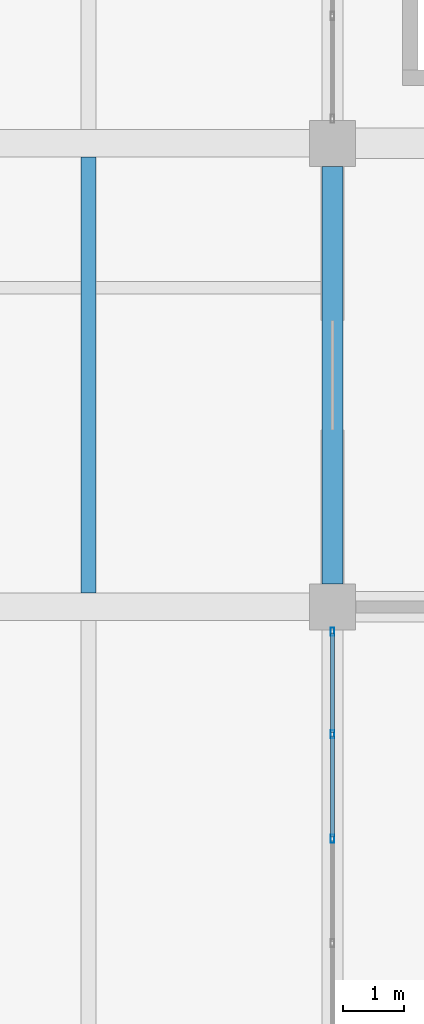
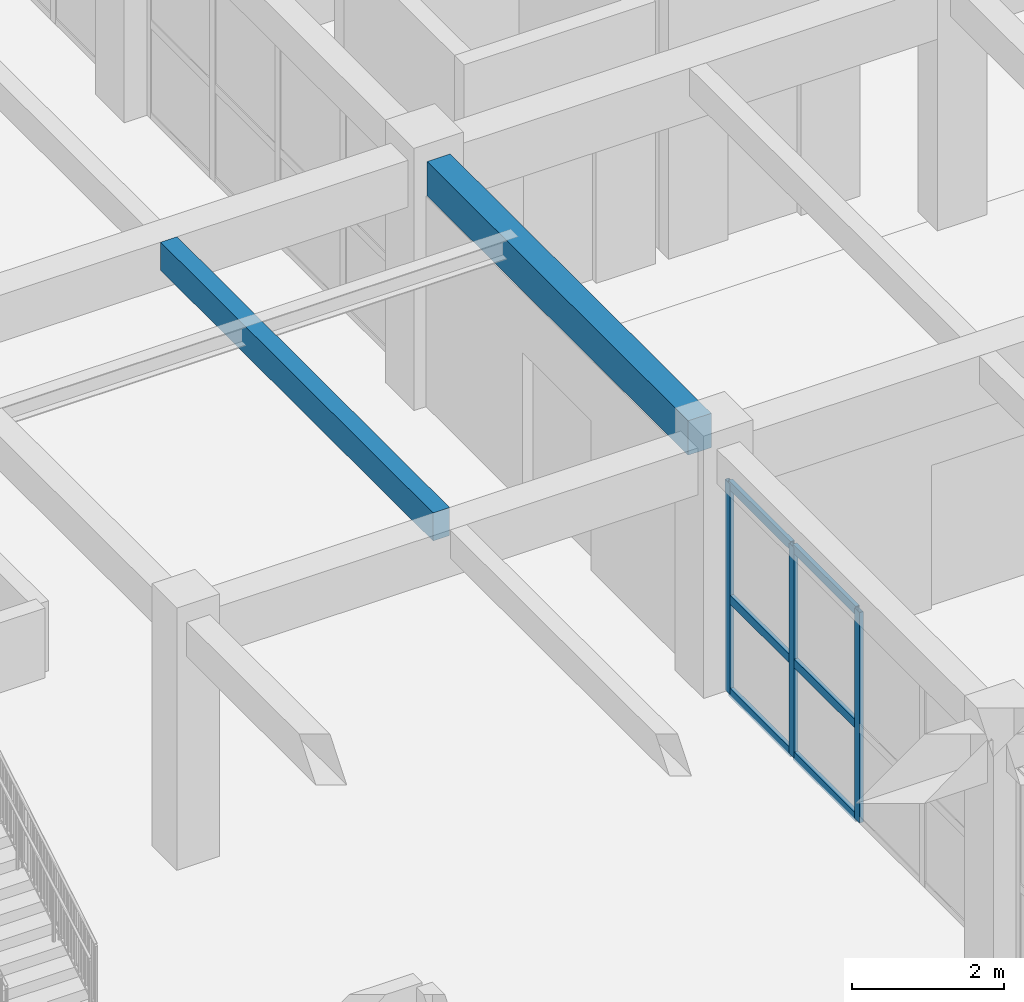
# One storey, part 7 of 63: 9 members, 2 beams, 1 element without a shape of its own.
"""IFC4 building model written with IfcOpenShell, lengths in metres."""

from ifc_helpers import new_model, si_unit, direction, frame, origin, origin_2d, place, context, subcontext, project, spatial, rectangle, hollow_rectangle, extrude, material, material_profile, profile_set, type_object, element, aggregate, save


model = new_model("IFC4")

# Units and contexts
model_context = context("Model", 3, precision=1e-05, world=origin(), true_north=direction((0.0, 1.0)))
body_context = subcontext(model_context, "Body", "Model", "MODEL_VIEW")
ifc_project = project(units=[si_unit("LENGTHUNIT", "METRE"), si_unit("AREAUNIT", "SQUARE_METRE"), si_unit("VOLUMEUNIT", "CUBIC_METRE"), si_unit("PLANEANGLEUNIT", "RADIAN"), si_unit("MASSUNIT", "GRAM", prefix="KILO")], contexts=[model_context])

# Site, building, storey
site_placement = place(None, origin())
site = spatial("IfcSite", under=ifc_project, at=site_placement, CompositionType="ELEMENT")
building_placement = place(site_placement, origin())
building = spatial("IfcBuilding", under=site, at=building_placement, Name="Zantavel Square City Hall", CompositionType="ELEMENT")
storey_placement = place(building_placement, frame((0.0, 0.0, 14.699951171875)))
storey = spatial("IfcBuildingStorey", under=building, at=storey_placement, Name="L04", CompositionType="ELEMENT", Elevation=14.699951171875)

# Curtain wall, members
ifc_material_1 = material(Name="Anodised aluminium 6063-T6", Category="aluminium")
curtain_wall_type = type_object("IfcCurtainWallType", Name="Curtain Wall TRV1 6850x3370", PredefinedType="USERDEFINED", material=ifc_material_1)
curtain_wall_placement = place(storey_placement, origin())
curtain_wall = element("IfcCurtainWall", 1, at=curtain_wall_placement, inside=storey, type_object=curtain_wall_type, Name="L04 Glazed Curtain Wall CW-L04-119", ObjectType="GLAZED CURTAIN WALL", PredefinedType="USERDEFINED")
ifc_material_profile_1 = material_profile(ifc_material_1, hollow_rectangle(XDim=0.06005859375, YDim=0.135009765625, WallThickness=0.00390625, at=origin_2d()), Name="ALU 60x135x4")
ifc_profile_set_1 = profile_set([ifc_material_profile_1], Name="Anodised aluminium 6063-T6")
member_type_1 = type_object("IfcMemberType", Name="CW Mullion ALU 60x135x4", PredefinedType="MULLION", material=ifc_profile_set_1)
member_1_placement = place(storey_placement, frame((64.0, 41.800048828125, 0.0), z_axis=(0.0, 0.0, 1.0), x_axis=(-1.0, 0.0, 0.0)))
member_1 = element("IfcMember", 2, at=member_1_placement, type_object=member_type_1, Name="CW-119 mullion 3", PredefinedType="MULLION", context=body_context, shape_type="SweptSolid", body=[
    extrude(hollow_rectangle(XDim=0.06005859375, YDim=0.135009765625, WallThickness=0.00390625, at=origin_2d()), origin(), (0.0, 0.0, 1.0), 3.3701171875),
])
member_2_placement = place(storey_placement, frame((64.0, 43.512451171875, 0.0), z_axis=(0.0, 0.0, 1.0), x_axis=(-1.0, 0.0, 0.0)))
member_2 = element("IfcMember", 3, at=member_2_placement, type_object=member_type_1, Name="CW-119 mullion 4", PredefinedType="MULLION", context=body_context, shape_type="SweptSolid", body=[
    extrude(hollow_rectangle(XDim=0.06005859375, YDim=0.135009765625, WallThickness=0.00390625, at=origin_2d()), origin(), (0.0, 0.0, 1.0), 3.3701171875),
])
member_3_placement = place(storey_placement, frame((64.0, 45.195068359375, 0.0), z_axis=(0.0, 0.0, 1.0), x_axis=(-1.0, 0.0, 0.0)))
member_3 = element("IfcMember", 4, at=member_3_placement, type_object=member_type_1, Name="CW-119 mullion 5", PredefinedType="MULLION", context=body_context, shape_type="SweptSolid", body=[
    extrude(hollow_rectangle(XDim=0.06005859375, YDim=0.135009765625, WallThickness=0.00390625, at=origin_2d()), origin(), (0.0, 0.0, 1.0), 3.3701171875),
])
ifc_material_profile_2 = material_profile(ifc_material_1, hollow_rectangle(XDim=0.06005859375, YDim=0.139892578125, WallThickness=0.00390625, at=origin_2d()), Name="ALU 60x140x4")
ifc_profile_set_2 = profile_set([ifc_material_profile_2], Name="Anodised aluminium 6063-T6")
member_type_2 = type_object("IfcMemberType", Name="CW Transom ALU 60x140x4", PredefinedType="USERDEFINED", material=ifc_profile_set_2)
member_4_placement = place(storey_placement, frame((64.0, 41.830078125, 0.030029296875), z_axis=(0.0, 1.0, 0.0), x_axis=(-1.0, 0.0, 0.0)))
member_4 = element("IfcMember", 5, at=member_4_placement, type_object=member_type_2, Name="CW-119 transom 3.1", ObjectType="TRANSOM", PredefinedType="USERDEFINED", context=body_context, shape_type="SweptSolid", body=[
    extrude(hollow_rectangle(XDim=0.06005859375, YDim=0.139892578125, WallThickness=0.00390625, at=origin_2d()), origin(), (0.0, 0.0, 1.0), 1.65234375),
])
member_5_placement = place(storey_placement, frame((64.0, 41.830078125, 1.51708984375), z_axis=(0.0, 1.0, 0.0), x_axis=(-1.0, 0.0, 0.0)))
member_5 = element("IfcMember", 6, at=member_5_placement, type_object=member_type_2, Name="CW-119 transom 3.2", ObjectType="TRANSOM", PredefinedType="USERDEFINED", context=body_context, shape_type="SweptSolid", body=[
    extrude(hollow_rectangle(XDim=0.06005859375, YDim=0.139892578125, WallThickness=0.00390625, at=origin_2d()), origin(), (0.0, 0.0, 1.0), 1.65234375),
])
member_6_placement = place(storey_placement, frame((64.0, 41.830078125, 3.340087890625), z_axis=(0.0, 1.0, 0.0), x_axis=(-1.0, 0.0, 0.0)))
member_6 = element("IfcMember", 7, at=member_6_placement, type_object=member_type_2, Name="CW-119 transom 3.3", ObjectType="TRANSOM", PredefinedType="USERDEFINED", context=body_context, shape_type="SweptSolid", body=[
    extrude(hollow_rectangle(XDim=0.06005859375, YDim=0.139892578125, WallThickness=0.00390625, at=origin_2d()), origin(), (0.0, 0.0, 1.0), 1.65234375),
])
member_7_placement = place(storey_placement, frame((64.0, 43.54248046875, 0.030029296875), z_axis=(0.0, 1.0, 0.0), x_axis=(-1.0, 0.0, 0.0)))
member_7 = element("IfcMember", 8, at=member_7_placement, type_object=member_type_2, Name="CW-119 transom 4.1", ObjectType="TRANSOM", PredefinedType="USERDEFINED", context=body_context, shape_type="SweptSolid", body=[
    extrude(hollow_rectangle(XDim=0.06005859375, YDim=0.139892578125, WallThickness=0.00390625, at=origin_2d()), origin(), (0.0, 0.0, 1.0), 1.62255859375),
])
member_8_placement = place(storey_placement, frame((64.0, 43.54248046875, 1.51708984375), z_axis=(0.0, 1.0, 0.0), x_axis=(-1.0, 0.0, 0.0)))
member_8 = element("IfcMember", 9, at=member_8_placement, type_object=member_type_2, Name="CW-119 transom 4.2", ObjectType="TRANSOM", PredefinedType="USERDEFINED", context=body_context, shape_type="SweptSolid", body=[
    extrude(hollow_rectangle(XDim=0.06005859375, YDim=0.139892578125, WallThickness=0.00390625, at=origin_2d()), origin(), (0.0, 0.0, 1.0), 1.62255859375),
])
member_9_placement = place(storey_placement, frame((64.0, 43.54248046875, 3.340087890625), z_axis=(0.0, 1.0, 0.0), x_axis=(-1.0, 0.0, 0.0)))
member_9 = element("IfcMember", 10, at=member_9_placement, type_object=member_type_2, Name="CW-119 transom 4.3", ObjectType="TRANSOM", PredefinedType="USERDEFINED", context=body_context, shape_type="SweptSolid", body=[
    extrude(hollow_rectangle(XDim=0.06005859375, YDim=0.139892578125, WallThickness=0.00390625, at=origin_2d()), origin(), (0.0, 0.0, 1.0), 1.62255859375),
])
aggregate(curtain_wall, [member_1, member_2, member_3, member_4, member_5, member_6, member_7, member_8, member_9])

# Beams
ifc_material_2 = material(Name="Concrete C35/45", Category="concrete")
ifc_material_profile_3 = material_profile(ifc_material_2, rectangle(XDim=0.25, YDim=0.449951171875, at=origin_2d()), Name="RC 250x450")
ifc_profile_set_3 = profile_set([ifc_material_profile_3], Name="Concrete C35/45")
beam_type_1 = type_object("IfcBeamType", Name="Light Floor Joist RC 250x450 C35/45", PredefinedType="JOIST", material=ifc_profile_set_3)
beam_1_placement = place(storey_placement, frame((60.0, 45.824951171875, 3.695068359375), z_axis=(0.0, 1.0, 0.0), x_axis=(-1.0, 0.0, 0.0)))
element("IfcBeam", 11, at=beam_1_placement, inside=storey, type_object=beam_type_1, Name="L04 Floor Joist JST-L04-0600-0456", PredefinedType="JOIST", context=body_context, shape_type="SweptSolid", body=[
    extrude(rectangle(XDim=0.25, YDim=0.449951171875, at=origin_2d()), origin(), (0.0, 0.0, 1.0), 7.150146484375),
])
ifc_material_profile_4 = material_profile(ifc_material_2, rectangle(XDim=0.35009765625, YDim=0.550048828125, at=origin_2d()), Name="RC 350x550")
ifc_profile_set_4 = profile_set([ifc_material_profile_4], Name="Concrete C35/45")
beam_type_2 = type_object("IfcBeamType", Name="Secondary Beam RC 350x550 C35/45", PredefinedType="BEAM", material=ifc_profile_set_4)
beam_2_placement = place(storey_placement, frame((64.0, 45.97509765625, 3.64501953125), z_axis=(0.0, 1.0, 0.0), x_axis=(-1.0, 0.0, 0.0)))
element("IfcBeam", 12, at=beam_2_placement, inside=storey, type_object=beam_type_2, Name="L04 Beam BMY-L04-0640-0456", PredefinedType="BEAM", context=body_context, shape_type="SweptSolid", body=[
    extrude(rectangle(XDim=0.35009765625, YDim=0.550048828125, at=origin_2d()), origin(), (0.0, 0.0, 1.0), 6.849853515625),
])

save(model, "model.ifc")
